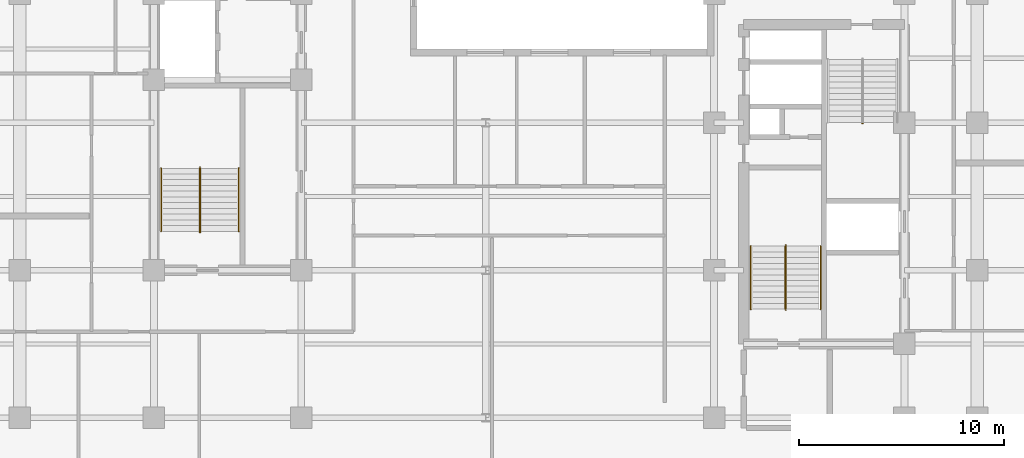
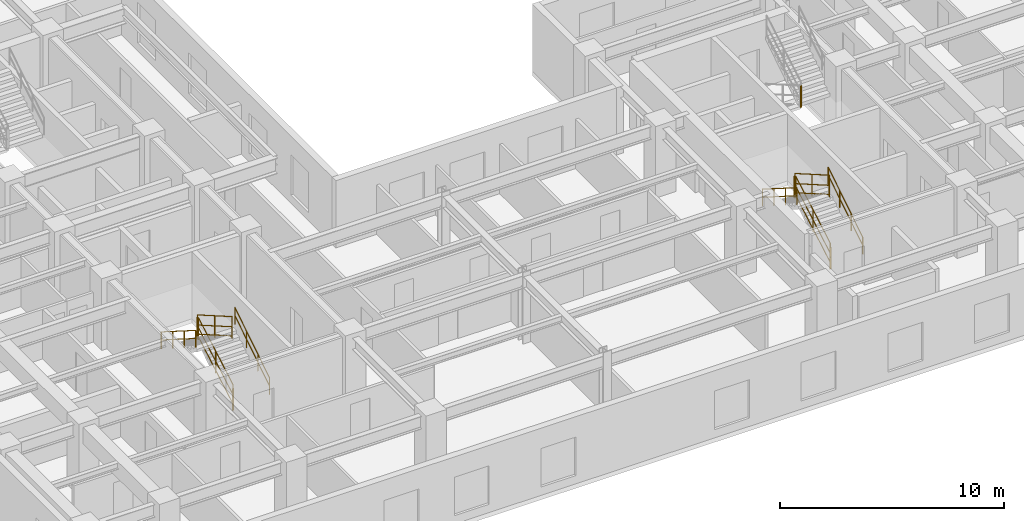
# One storey, part 8 of 10: 13 railings.
"""IFC4 building model written with IfcOpenShell, lengths in metres."""

from ifc_helpers import new_model, entity, si_unit, converted_unit, direction, frame, origin_with_axes, origin_2d_with_axis, place, context, subcontext, project, spatial, rectangle, circle, extrude, material, type_object, element, save


model = new_model("IFC4")

# Units and contexts
model_context = context("Model", 3, precision=1e-05, world=origin_with_axes(), true_north=direction((0.0, 1.0)))
body_context = subcontext(model_context, "Body", "Model", "MODEL_VIEW")
ifc_project = project(units=[si_unit("LENGTHUNIT", "METRE"), si_unit("AREAUNIT", "SQUARE_METRE"), si_unit("VOLUMEUNIT", "CUBIC_METRE"), converted_unit("PLANEANGLEUNIT", "DEGREE", entity("IfcPlaneAngleMeasure", 0.017453292519943295), si_unit("PLANEANGLEUNIT", "RADIAN"), dimensions=[0, 0, 0, 0, 0, 0, 0]), si_unit("MASSUNIT", "GRAM", prefix="KILO"), si_unit("THERMODYNAMICTEMPERATUREUNIT", "KELVIN")], contexts=[model_context])

# Site, building, storey
site_placement = place(None, origin_with_axes())
site = spatial("IfcSite", under=ifc_project, at=site_placement, CompositionType="ELEMENT")
building_placement = place(site_placement, origin_with_axes())
building = spatial("IfcBuilding", under=site, at=building_placement, Name="Varnlund Millrace Tower", CompositionType="ELEMENT")
storey_placement = place(building_placement, frame((0.0, 0.0, 168.0), z_axis=(0.0, 0.0, 1.0), x_axis=(1.0, 0.0, 0.0)))
storey = spatial("IfcBuildingStorey", under=building, at=storey_placement, Name="L41", CompositionType="ELEMENT", Elevation=168.0)

# Railings
ifc_material_1 = material(Name="Painted steel stair well balustrade guard", Category="steel")
railing_type_1 = type_object("IfcRailingType", Name="Type-StairGuard-1150", PredefinedType="GUARDRAIL", material=ifc_material_1)
railing_1_placement = place(storey_placement, frame((0.0, 0.0, -168.0), z_axis=(0.0, 0.0, 1.0), x_axis=(1.0, 0.0, 0.0)))
element("IfcRailing", 1, at=railing_1_placement, inside=storey, type_object=railing_type_1, Name="Type-StairGuard-1150", PredefinedType="GUARDRAIL", context=body_context, shape_type="SweptSolid", body=[
    extrude(circle(Radius=0.024, at=origin_2d_with_axis()), frame((13.675, 12.7, 169.327273), z_axis=(0.0, 0.866696, 0.498836), x_axis=(-1.0, 0.0, 0.0)), (0.0, 0.0, 1.0), 3.553725),
    extrude(circle(Radius=0.024, at=origin_2d_with_axis()), frame((13.675, 12.7, 168.277273), z_axis=(0.0, 0.866696, 0.498836), x_axis=(-1.0, 0.0, 0.0)), (0.0, 0.0, 1.0), 3.553725),
    extrude(circle(Radius=0.024, at=origin_2d_with_axis()), frame((13.675, 12.7, 168.775273), z_axis=(0.0, 0.866696, 0.498836), x_axis=(-1.0, 0.0, 0.0)), (0.0, 0.0, 1.0), 3.553725),
    extrude(rectangle(XDim=0.04, YDim=0.04, at=origin_2d_with_axis()), frame((13.675, 12.7, 168.137273), z_axis=(0.0, 0.0, 1.0), x_axis=(1.0, 0.0, 0.0)), (0.0, 0.0, 1.0), 1.19),
    extrude(rectangle(XDim=0.04, YDim=0.04, at=origin_2d_with_axis()), frame((13.675, 14.24, 169.023637), z_axis=(0.0, 0.0, 1.0), x_axis=(1.0, 0.0, 0.0)), (0.0, 0.0, 1.0), 1.19),
    extrude(rectangle(XDim=0.04, YDim=0.04, at=origin_2d_with_axis()), frame((13.675, 15.78, 169.91), z_axis=(0.0, 0.0, 1.0), x_axis=(1.0, 0.0, 0.0)), (0.0, 0.0, 1.0), 1.19),
])
railing_2_placement = place(storey_placement, frame((0.0, 0.0, -168.0), z_axis=(0.0, 0.0, 1.0), x_axis=(1.0, 0.0, 0.0)))
element("IfcRailing", 2, at=railing_2_placement, inside=storey, type_object=railing_type_1, Name="Type-StairGuard-1150", PredefinedType="GUARDRAIL", context=body_context, shape_type="SweptSolid", body=[
    extrude(circle(Radius=0.024, at=origin_2d_with_axis()), frame((13.625, 15.83, 171.1), z_axis=(1.0, 0.0, 0.0), x_axis=(0.0, 1.0, 0.0)), (0.0, 0.0, 1.0), 0.05),
    extrude(circle(Radius=0.024, at=origin_2d_with_axis()), frame((13.625, 15.83, 170.05), z_axis=(1.0, 0.0, 0.0), x_axis=(0.0, 1.0, 0.0)), (0.0, 0.0, 1.0), 0.05),
    extrude(circle(Radius=0.024, at=origin_2d_with_axis()), frame((13.625, 15.83, 170.548), z_axis=(1.0, 0.0, 0.0), x_axis=(0.0, 1.0, 0.0)), (0.0, 0.0, 1.0), 0.05),
    extrude(rectangle(XDim=0.04, YDim=0.04, at=origin_2d_with_axis()), frame((13.625, 15.83, 169.91), z_axis=(0.0, 0.0, 1.0), x_axis=(1.0, 0.0, 0.0)), (0.0, 0.0, 1.0), 1.19),
    extrude(rectangle(XDim=0.04, YDim=0.04, at=origin_2d_with_axis()), frame((13.675, 15.83, 169.91), z_axis=(0.0, 0.0, 1.0), x_axis=(1.0, 0.0, 0.0)), (0.0, 0.0, 1.0), 1.19),
])
railing_3_placement = place(storey_placement, frame((0.0, 0.0, -168.0), z_axis=(0.0, 0.0, 1.0), x_axis=(1.0, 0.0, 0.0)))
element("IfcRailing", 3, at=railing_3_placement, inside=storey, type_object=railing_type_1, Name="Type-StairGuard-1150", PredefinedType="GUARDRAIL", context=body_context, shape_type="SweptSolid", body=[
    extrude(circle(Radius=0.024, at=origin_2d_with_axis()), frame((13.625, 15.78, 171.277273), z_axis=(0.0, -0.866696, 0.498836), x_axis=(1.0, 0.0, 0.0)), (0.0, 0.0, 1.0), 3.553725),
    extrude(circle(Radius=0.024, at=origin_2d_with_axis()), frame((13.625, 15.78, 170.227273), z_axis=(0.0, -0.866696, 0.498836), x_axis=(1.0, 0.0, 0.0)), (0.0, 0.0, 1.0), 3.553725),
    extrude(circle(Radius=0.024, at=origin_2d_with_axis()), frame((13.625, 15.78, 170.725273), z_axis=(0.0, -0.866696, 0.498836), x_axis=(1.0, 0.0, 0.0)), (0.0, 0.0, 1.0), 3.553725),
    extrude(rectangle(XDim=0.04, YDim=0.04, at=origin_2d_with_axis()), frame((13.625, 15.78, 170.087273), z_axis=(0.0, 0.0, 1.0), x_axis=(1.0, 0.0, 0.0)), (0.0, 0.0, 1.0), 1.19),
    extrude(rectangle(XDim=0.04, YDim=0.04, at=origin_2d_with_axis()), frame((13.625, 14.24, 170.973637), z_axis=(0.0, 0.0, 1.0), x_axis=(1.0, 0.0, 0.0)), (0.0, 0.0, 1.0), 1.19),
    extrude(rectangle(XDim=0.04, YDim=0.04, at=origin_2d_with_axis()), frame((13.625, 12.7, 171.86), z_axis=(0.0, 0.0, 1.0), x_axis=(1.0, 0.0, 0.0)), (0.0, 0.0, 1.0), 1.19),
])
railing_4_placement = place(storey_placement, frame((0.0, 0.0, -168.0), z_axis=(0.0, 0.0, 1.0), x_axis=(1.0, 0.0, 0.0)))
element("IfcRailing", 4, at=railing_4_placement, inside=storey, type_object=railing_type_1, Name="Type-StairGuard-1150", PredefinedType="GUARDRAIL", context=body_context, shape_type="SweptSolid", body=[
    extrude(circle(Radius=0.024, at=origin_2d_with_axis()), frame((13.625, 12.65, 169.15), z_axis=(1.0, 0.0, 0.0), x_axis=(0.0, 1.0, 0.0)), (0.0, 0.0, 1.0), 0.05),
    extrude(circle(Radius=0.024, at=origin_2d_with_axis()), frame((13.625, 12.65, 168.1), z_axis=(1.0, 0.0, 0.0), x_axis=(0.0, 1.0, 0.0)), (0.0, 0.0, 1.0), 0.05),
    extrude(circle(Radius=0.024, at=origin_2d_with_axis()), frame((13.625, 12.65, 168.598), z_axis=(1.0, 0.0, 0.0), x_axis=(0.0, 1.0, 0.0)), (0.0, 0.0, 1.0), 0.05),
    extrude(rectangle(XDim=0.04, YDim=0.04, at=origin_2d_with_axis()), frame((13.625, 12.65, 167.96), z_axis=(0.0, 0.0, 1.0), x_axis=(1.0, 0.0, 0.0)), (0.0, 0.0, 1.0), 1.19),
    extrude(rectangle(XDim=0.04, YDim=0.04, at=origin_2d_with_axis()), frame((13.675, 12.65, 167.96), z_axis=(0.0, 0.0, 1.0), x_axis=(1.0, 0.0, 0.0)), (0.0, 0.0, 1.0), 1.19),
])
railing_5_placement = place(storey_placement, frame((0.0, 0.0, -168.0), z_axis=(0.0, 0.0, 1.0), x_axis=(1.0, 0.0, 0.0)))
element("IfcRailing", 5, at=railing_5_placement, inside=storey, type_object=railing_type_1, Name="Type-StairGuard-1150", PredefinedType="GUARDRAIL", context=body_context, shape_type="SweptSolid", body=[
    extrude(circle(Radius=0.024, at=origin_2d_with_axis()), frame((42.275, 8.9, 169.327273), z_axis=(0.0, 0.866696, 0.498836), x_axis=(-1.0, 0.0, 0.0)), (0.0, 0.0, 1.0), 3.553725),
    extrude(circle(Radius=0.024, at=origin_2d_with_axis()), frame((42.275, 8.9, 168.277273), z_axis=(0.0, 0.866696, 0.498836), x_axis=(-1.0, 0.0, 0.0)), (0.0, 0.0, 1.0), 3.553725),
    extrude(circle(Radius=0.024, at=origin_2d_with_axis()), frame((42.275, 8.9, 168.775273), z_axis=(0.0, 0.866696, 0.498836), x_axis=(-1.0, 0.0, 0.0)), (0.0, 0.0, 1.0), 3.553725),
    extrude(rectangle(XDim=0.04, YDim=0.04, at=origin_2d_with_axis()), frame((42.275, 8.9, 168.137273), z_axis=(0.0, 0.0, 1.0), x_axis=(1.0, 0.0, 0.0)), (0.0, 0.0, 1.0), 1.19),
    extrude(rectangle(XDim=0.04, YDim=0.04, at=origin_2d_with_axis()), frame((42.275, 10.44, 169.023637), z_axis=(0.0, 0.0, 1.0), x_axis=(1.0, 0.0, 0.0)), (0.0, 0.0, 1.0), 1.19),
    extrude(rectangle(XDim=0.04, YDim=0.04, at=origin_2d_with_axis()), frame((42.275, 11.98, 169.91), z_axis=(0.0, 0.0, 1.0), x_axis=(1.0, 0.0, 0.0)), (0.0, 0.0, 1.0), 1.19),
])
railing_6_placement = place(storey_placement, frame((0.0, 0.0, -168.0), z_axis=(0.0, 0.0, 1.0), x_axis=(1.0, 0.0, 0.0)))
element("IfcRailing", 6, at=railing_6_placement, inside=storey, type_object=railing_type_1, Name="Type-StairGuard-1150", PredefinedType="GUARDRAIL", context=body_context, shape_type="SweptSolid", body=[
    extrude(circle(Radius=0.024, at=origin_2d_with_axis()), frame((42.225, 12.03, 171.1), z_axis=(1.0, 0.0, 0.0), x_axis=(0.0, 1.0, 0.0)), (0.0, 0.0, 1.0), 0.05),
    extrude(circle(Radius=0.024, at=origin_2d_with_axis()), frame((42.225, 12.03, 170.05), z_axis=(1.0, 0.0, 0.0), x_axis=(0.0, 1.0, 0.0)), (0.0, 0.0, 1.0), 0.05),
    extrude(circle(Radius=0.024, at=origin_2d_with_axis()), frame((42.225, 12.03, 170.548), z_axis=(1.0, 0.0, 0.0), x_axis=(0.0, 1.0, 0.0)), (0.0, 0.0, 1.0), 0.05),
    extrude(rectangle(XDim=0.04, YDim=0.04, at=origin_2d_with_axis()), frame((42.225, 12.03, 169.91), z_axis=(0.0, 0.0, 1.0), x_axis=(1.0, 0.0, 0.0)), (0.0, 0.0, 1.0), 1.19),
    extrude(rectangle(XDim=0.04, YDim=0.04, at=origin_2d_with_axis()), frame((42.275, 12.03, 169.91), z_axis=(0.0, 0.0, 1.0), x_axis=(1.0, 0.0, 0.0)), (0.0, 0.0, 1.0), 1.19),
])
railing_7_placement = place(storey_placement, frame((0.0, 0.0, -168.0), z_axis=(0.0, 0.0, 1.0), x_axis=(1.0, 0.0, 0.0)))
element("IfcRailing", 7, at=railing_7_placement, inside=storey, type_object=railing_type_1, Name="Type-StairGuard-1150", PredefinedType="GUARDRAIL", context=body_context, shape_type="SweptSolid", body=[
    extrude(circle(Radius=0.024, at=origin_2d_with_axis()), frame((42.225, 11.98, 171.277273), z_axis=(0.0, -0.866696, 0.498836), x_axis=(1.0, 0.0, 0.0)), (0.0, 0.0, 1.0), 3.553725),
    extrude(circle(Radius=0.024, at=origin_2d_with_axis()), frame((42.225, 11.98, 170.227273), z_axis=(0.0, -0.866696, 0.498836), x_axis=(1.0, 0.0, 0.0)), (0.0, 0.0, 1.0), 3.553725),
    extrude(circle(Radius=0.024, at=origin_2d_with_axis()), frame((42.225, 11.98, 170.725273), z_axis=(0.0, -0.866696, 0.498836), x_axis=(1.0, 0.0, 0.0)), (0.0, 0.0, 1.0), 3.553725),
    extrude(rectangle(XDim=0.04, YDim=0.04, at=origin_2d_with_axis()), frame((42.225, 11.98, 170.087273), z_axis=(0.0, 0.0, 1.0), x_axis=(1.0, 0.0, 0.0)), (0.0, 0.0, 1.0), 1.19),
    extrude(rectangle(XDim=0.04, YDim=0.04, at=origin_2d_with_axis()), frame((42.225, 10.44, 170.973637), z_axis=(0.0, 0.0, 1.0), x_axis=(1.0, 0.0, 0.0)), (0.0, 0.0, 1.0), 1.19),
    extrude(rectangle(XDim=0.04, YDim=0.04, at=origin_2d_with_axis()), frame((42.225, 8.9, 171.86), z_axis=(0.0, 0.0, 1.0), x_axis=(1.0, 0.0, 0.0)), (0.0, 0.0, 1.0), 1.19),
])
railing_8_placement = place(storey_placement, frame((0.0, 0.0, -168.0), z_axis=(0.0, 0.0, 1.0), x_axis=(1.0, 0.0, 0.0)))
element("IfcRailing", 8, at=railing_8_placement, inside=storey, type_object=railing_type_1, Name="Type-StairGuard-1150", PredefinedType="GUARDRAIL", context=body_context, shape_type="SweptSolid", body=[
    extrude(circle(Radius=0.024, at=origin_2d_with_axis()), frame((42.225, 8.85, 169.15), z_axis=(1.0, 0.0, 0.0), x_axis=(0.0, 1.0, 0.0)), (0.0, 0.0, 1.0), 0.05),
    extrude(circle(Radius=0.024, at=origin_2d_with_axis()), frame((42.225, 8.85, 168.1), z_axis=(1.0, 0.0, 0.0), x_axis=(0.0, 1.0, 0.0)), (0.0, 0.0, 1.0), 0.05),
    extrude(circle(Radius=0.024, at=origin_2d_with_axis()), frame((42.225, 8.85, 168.598), z_axis=(1.0, 0.0, 0.0), x_axis=(0.0, 1.0, 0.0)), (0.0, 0.0, 1.0), 0.05),
    extrude(rectangle(XDim=0.04, YDim=0.04, at=origin_2d_with_axis()), frame((42.225, 8.85, 167.96), z_axis=(0.0, 0.0, 1.0), x_axis=(1.0, 0.0, 0.0)), (0.0, 0.0, 1.0), 1.19),
    extrude(rectangle(XDim=0.04, YDim=0.04, at=origin_2d_with_axis()), frame((42.275, 8.85, 167.96), z_axis=(0.0, 0.0, 1.0), x_axis=(1.0, 0.0, 0.0)), (0.0, 0.0, 1.0), 1.19),
])
railing_9_placement = place(storey_placement, frame((0.0, 0.0, -168.0), z_axis=(0.0, 0.0, 1.0), x_axis=(1.0, 0.0, 0.0)))
element("IfcRailing", 9, at=railing_9_placement, inside=storey, type_object=railing_type_1, Name="Type-StairGuard-1150", PredefinedType="GUARDRAIL", context=body_context, shape_type="SweptSolid", body=[
    extrude(circle(Radius=0.024, at=origin_2d_with_axis()), frame((46.025, 17.97, 171.1), z_axis=(-1.0, 0.0, 0.0), x_axis=(0.0, -1.0, 0.0)), (0.0, 0.0, 1.0), 0.05),
    extrude(circle(Radius=0.024, at=origin_2d_with_axis()), frame((46.025, 17.97, 170.05), z_axis=(-1.0, 0.0, 0.0), x_axis=(0.0, -1.0, 0.0)), (0.0, 0.0, 1.0), 0.05),
    extrude(circle(Radius=0.024, at=origin_2d_with_axis()), frame((46.025, 17.97, 170.548), z_axis=(-1.0, 0.0, 0.0), x_axis=(0.0, -1.0, 0.0)), (0.0, 0.0, 1.0), 0.05),
    extrude(rectangle(XDim=0.04, YDim=0.04, at=origin_2d_with_axis()), frame((46.025, 17.97, 169.91), z_axis=(0.0, 0.0, 1.0), x_axis=(1.0, 0.0, 0.0)), (0.0, 0.0, 1.0), 1.19),
    extrude(rectangle(XDim=0.04, YDim=0.04, at=origin_2d_with_axis()), frame((45.975, 17.97, 169.91), z_axis=(0.0, 0.0, 1.0), x_axis=(1.0, 0.0, 0.0)), (0.0, 0.0, 1.0), 1.19),
])
ifc_material_2 = material(Name="Brushed architectural bronze stair handrail", Category="aluminium")
railing_type_2 = type_object("IfcRailingType", Name="Type-StairHandrail-900", PredefinedType="HANDRAIL", material=ifc_material_2)
railing_10_placement = place(storey_placement, frame((0.0, 0.0, -168.0), z_axis=(0.0, 0.0, 1.0), x_axis=(1.0, 0.0, 0.0)))
element("IfcRailing", 10, at=railing_10_placement, inside=storey, type_object=railing_type_2, Name="Type-StairHandrail-900", PredefinedType="HANDRAIL", context=body_context, shape_type="SweptSolid", body=[
    extrude(circle(Radius=0.024, at=origin_2d_with_axis()), frame((15.55, 12.7, 169.056995), z_axis=(0.0, 0.844902, 0.534922), x_axis=(-1.0, 0.0, 0.0)), (0.0, 0.0, 1.0), 3.645394),
    extrude(circle(Radius=0.024, at=origin_2d_with_axis()), frame((15.55, 12.7, 168.617134), z_axis=(0.0, 0.844902, 0.534922), x_axis=(-1.0, 0.0, 0.0)), (0.0, 0.0, 1.0), 3.645394),
    extrude(rectangle(XDim=0.04, YDim=0.04, at=origin_2d_with_axis()), frame((15.55, 12.7, 168.137273), z_axis=(0.0, 0.0, 1.0), x_axis=(1.0, 0.0, 0.0)), (0.0, 0.0, 1.0), 0.919722),
    extrude(rectangle(XDim=0.04, YDim=0.04, at=origin_2d_with_axis()), frame((15.55, 13.726667, 168.787273), z_axis=(0.0, 0.0, 1.0), x_axis=(1.0, 0.0, 0.0)), (0.0, 0.0, 1.0), 0.919722),
    extrude(rectangle(XDim=0.04, YDim=0.04, at=origin_2d_with_axis()), frame((15.55, 14.753333, 169.437273), z_axis=(0.0, 0.0, 1.0), x_axis=(1.0, 0.0, 0.0)), (0.0, 0.0, 1.0), 0.919722),
    extrude(rectangle(XDim=0.04, YDim=0.04, at=origin_2d_with_axis()), frame((15.55, 15.78, 170.087273), z_axis=(0.0, 0.0, 1.0), x_axis=(1.0, 0.0, 0.0)), (0.0, 0.0, 1.0), 0.919722),
])
railing_11_placement = place(storey_placement, frame((0.0, 0.0, -168.0), z_axis=(0.0, 0.0, 1.0), x_axis=(1.0, 0.0, 0.0)))
element("IfcRailing", 11, at=railing_11_placement, inside=storey, type_object=railing_type_2, Name="Type-StairHandrail-900", PredefinedType="HANDRAIL", context=body_context, shape_type="SweptSolid", body=[
    extrude(circle(Radius=0.024, at=origin_2d_with_axis()), frame((11.75, 15.78, 171.006995), z_axis=(0.0, -0.844902, 0.534922), x_axis=(1.0, 0.0, 0.0)), (0.0, 0.0, 1.0), 3.645394),
    extrude(circle(Radius=0.024, at=origin_2d_with_axis()), frame((11.75, 15.78, 170.567134), z_axis=(0.0, -0.844902, 0.534922), x_axis=(1.0, 0.0, 0.0)), (0.0, 0.0, 1.0), 3.645394),
    extrude(rectangle(XDim=0.04, YDim=0.04, at=origin_2d_with_axis()), frame((11.75, 15.78, 170.087273), z_axis=(0.0, 0.0, 1.0), x_axis=(1.0, 0.0, 0.0)), (0.0, 0.0, 1.0), 0.919722),
    extrude(rectangle(XDim=0.04, YDim=0.04, at=origin_2d_with_axis()), frame((11.75, 14.753333, 170.737273), z_axis=(0.0, 0.0, 1.0), x_axis=(1.0, 0.0, 0.0)), (0.0, 0.0, 1.0), 0.919722),
    extrude(rectangle(XDim=0.04, YDim=0.04, at=origin_2d_with_axis()), frame((11.75, 13.726667, 171.387273), z_axis=(0.0, 0.0, 1.0), x_axis=(1.0, 0.0, 0.0)), (0.0, 0.0, 1.0), 0.919722),
    extrude(rectangle(XDim=0.04, YDim=0.04, at=origin_2d_with_axis()), frame((11.75, 12.7, 172.037273), z_axis=(0.0, 0.0, 1.0), x_axis=(1.0, 0.0, 0.0)), (0.0, 0.0, 1.0), 0.919722),
])
railing_12_placement = place(storey_placement, frame((0.0, 0.0, -168.0), z_axis=(0.0, 0.0, 1.0), x_axis=(1.0, 0.0, 0.0)))
element("IfcRailing", 12, at=railing_12_placement, inside=storey, type_object=railing_type_2, Name="Type-StairHandrail-900", PredefinedType="HANDRAIL", context=body_context, shape_type="SweptSolid", body=[
    extrude(circle(Radius=0.024, at=origin_2d_with_axis()), frame((43.95, 8.9, 169.056995), z_axis=(0.0, 0.844902, 0.534922), x_axis=(-1.0, 0.0, 0.0)), (0.0, 0.0, 1.0), 3.645394),
    extrude(circle(Radius=0.024, at=origin_2d_with_axis()), frame((43.95, 8.9, 168.617134), z_axis=(0.0, 0.844902, 0.534922), x_axis=(-1.0, 0.0, 0.0)), (0.0, 0.0, 1.0), 3.645394),
    extrude(rectangle(XDim=0.04, YDim=0.04, at=origin_2d_with_axis()), frame((43.95, 8.9, 168.137273), z_axis=(0.0, 0.0, 1.0), x_axis=(1.0, 0.0, 0.0)), (0.0, 0.0, 1.0), 0.919722),
    extrude(rectangle(XDim=0.04, YDim=0.04, at=origin_2d_with_axis()), frame((43.95, 9.926667, 168.787273), z_axis=(0.0, 0.0, 1.0), x_axis=(1.0, 0.0, 0.0)), (0.0, 0.0, 1.0), 0.919722),
    extrude(rectangle(XDim=0.04, YDim=0.04, at=origin_2d_with_axis()), frame((43.95, 10.953333, 169.437273), z_axis=(0.0, 0.0, 1.0), x_axis=(1.0, 0.0, 0.0)), (0.0, 0.0, 1.0), 0.919722),
    extrude(rectangle(XDim=0.04, YDim=0.04, at=origin_2d_with_axis()), frame((43.95, 11.98, 170.087273), z_axis=(0.0, 0.0, 1.0), x_axis=(1.0, 0.0, 0.0)), (0.0, 0.0, 1.0), 0.919722),
])
railing_13_placement = place(storey_placement, frame((0.0, 0.0, -168.0), z_axis=(0.0, 0.0, 1.0), x_axis=(1.0, 0.0, 0.0)))
element("IfcRailing", 13, at=railing_13_placement, inside=storey, type_object=railing_type_2, Name="Type-StairHandrail-900", PredefinedType="HANDRAIL", context=body_context, shape_type="SweptSolid", body=[
    extrude(circle(Radius=0.024, at=origin_2d_with_axis()), frame((40.55, 11.98, 171.006995), z_axis=(0.0, -0.844902, 0.534922), x_axis=(1.0, 0.0, 0.0)), (0.0, 0.0, 1.0), 3.645394),
    extrude(circle(Radius=0.024, at=origin_2d_with_axis()), frame((40.55, 11.98, 170.567134), z_axis=(0.0, -0.844902, 0.534922), x_axis=(1.0, 0.0, 0.0)), (0.0, 0.0, 1.0), 3.645394),
    extrude(rectangle(XDim=0.04, YDim=0.04, at=origin_2d_with_axis()), frame((40.55, 11.98, 170.087273), z_axis=(0.0, 0.0, 1.0), x_axis=(1.0, 0.0, 0.0)), (0.0, 0.0, 1.0), 0.919722),
    extrude(rectangle(XDim=0.04, YDim=0.04, at=origin_2d_with_axis()), frame((40.55, 10.953333, 170.737273), z_axis=(0.0, 0.0, 1.0), x_axis=(1.0, 0.0, 0.0)), (0.0, 0.0, 1.0), 0.919722),
    extrude(rectangle(XDim=0.04, YDim=0.04, at=origin_2d_with_axis()), frame((40.55, 9.926667, 171.387273), z_axis=(0.0, 0.0, 1.0), x_axis=(1.0, 0.0, 0.0)), (0.0, 0.0, 1.0), 0.919722),
    extrude(rectangle(XDim=0.04, YDim=0.04, at=origin_2d_with_axis()), frame((40.55, 8.9, 172.037273), z_axis=(0.0, 0.0, 1.0), x_axis=(1.0, 0.0, 0.0)), (0.0, 0.0, 1.0), 0.919722),
])

save(model, "model.ifc")
